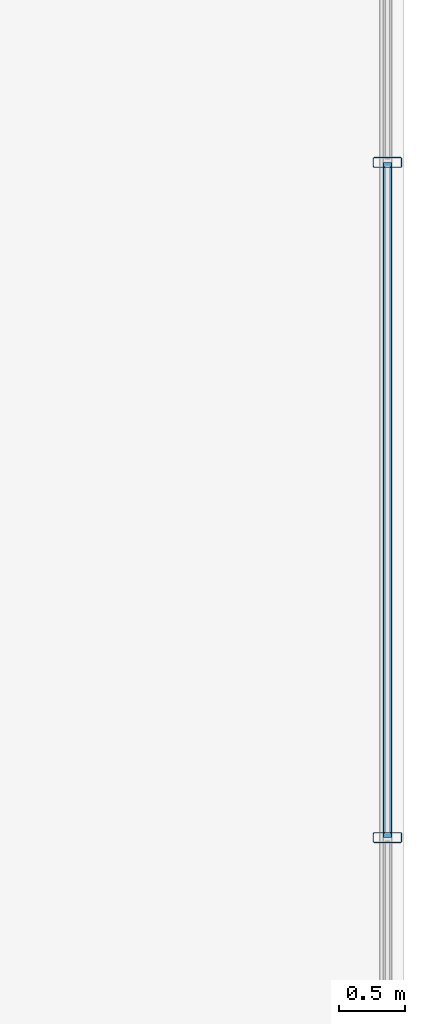
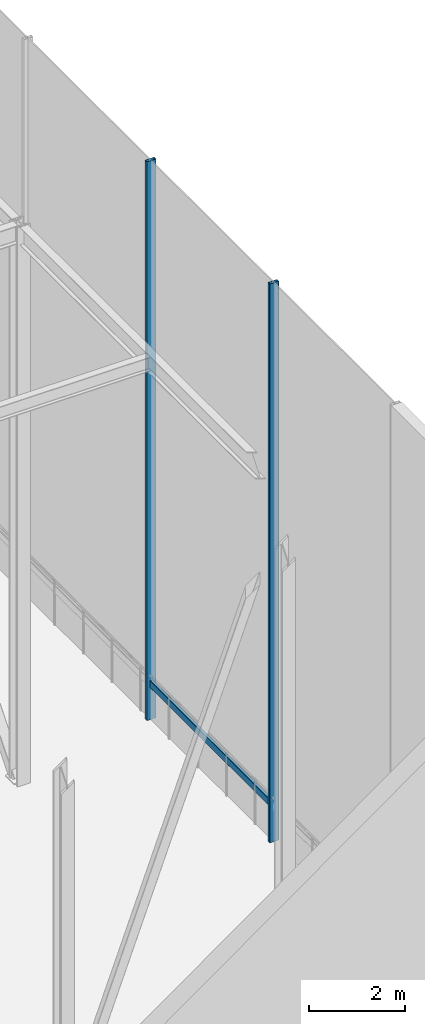
# One storey, part 23 of 42: 3 members, 1 element without a shape of its own.
"""IFC4 building model written with IfcOpenShell, lengths in metres."""

from ifc_helpers import new_model, si_unit, direction, frame, origin, origin_2d, place, context, subcontext, project, spatial, hollow_rectangle, extrude, material, layer, layer_set, material_profile, profile_set, type_object, element, aggregate, save


model = new_model("IFC4")

# Units and contexts
model_context = context("Model", 3, precision=1e-05, world=origin(), true_north=direction((0.0, 1.0)))
body_context = subcontext(model_context, "Body", "Model", "MODEL_VIEW")
ifc_project = project(units=[si_unit("LENGTHUNIT", "METRE"), si_unit("AREAUNIT", "SQUARE_METRE"), si_unit("VOLUMEUNIT", "CUBIC_METRE"), si_unit("PLANEANGLEUNIT", "RADIAN"), si_unit("MASSUNIT", "GRAM", prefix="KILO")], contexts=[model_context])

# Site, building, storey
site_placement = place(None, origin())
site = spatial("IfcSite", under=ifc_project, at=site_placement, CompositionType="ELEMENT")
building_placement = place(site_placement, origin())
building = spatial("IfcBuilding", under=site, at=building_placement, Name="Korimba Cascade Residences", CompositionType="ELEMENT")
storey_placement = place(building_placement, frame((0.0, 0.0, 207.60009765625)))
storey = spatial("IfcBuildingStorey", under=building, at=storey_placement, Name="L60", CompositionType="ELEMENT", Elevation=207.60009765625)

# Curtain wall, members
ifc_material_1 = material(Name="Anodised Aluminium Curtain Wall Framing", Category="aluminium")
ifc_layer = layer(ifc_material_1, 0.179931640625)
ifc_layer_set = layer_set([ifc_layer], Name="Anodised Aluminium Curtain Wall Framing")
curtain_wall_type = type_object("IfcCurtainWallType", Name="CW-CRNE-SYS6", PredefinedType="NOTDEFINED", material=ifc_layer_set)
curtain_wall_placement = place(storey_placement, origin())
curtain_wall = element("IfcCurtainWall", 1, at=curtain_wall_placement, inside=storey, type_object=curtain_wall_type, Name="L60 Curtain Wall CW-L60-CRN-E-1", PredefinedType="NOTDEFINED")
ifc_material_2 = material(Name="Anodised Aluminium Mullion", Category="aluminium")
ifc_material_profile_1 = material_profile(ifc_material_2, hollow_rectangle(XDim=0.080078125, YDim=0.219970703125, WallThickness=0.00634765625, InnerFilletRadius=0.00634765625, OuterFilletRadius=0.0126953125, at=origin_2d()), Name="Anodised Aluminium Mullion")
ifc_profile_set_1 = profile_set([ifc_material_profile_1], Name="Anodised Aluminium Mullion")
member_type_1 = type_object("IfcMemberType", Name="CWM-MUL-220", PredefinedType="MULLION", material=ifc_profile_set_1)
member_1_placement = place(storey_placement, frame((132.375, 2.300048828125, 0.0), z_axis=(0.0, 0.0, 1.0), x_axis=(0.0, 1.0, 0.0)))
member_1 = element("IfcMember", 2, at=member_1_placement, type_object=member_type_1, Name="CW-L60-CRN-E-1 Mullion 2", PredefinedType="MULLION", context=body_context, shape_type="SweptSolid", body=[
    extrude(hollow_rectangle(XDim=0.080078125, YDim=0.219970703125, WallThickness=0.00634765625, InnerFilletRadius=0.00634765625, OuterFilletRadius=0.0126953125, at=origin_2d()), origin(), (0.0, 0.0, 1.0), 14.14990234375),
])
member_2_placement = place(storey_placement, frame((132.375, 7.39990234375, 0.0), z_axis=(0.0, 0.0, 1.0), x_axis=(0.0, 1.0, 0.0)))
member_2 = element("IfcMember", 3, at=member_2_placement, type_object=member_type_1, Name="CW-L60-CRN-E-1 Mullion 3", PredefinedType="MULLION", context=body_context, shape_type="SweptSolid", body=[
    extrude(hollow_rectangle(XDim=0.080078125, YDim=0.219970703125, WallThickness=0.00634765625, InnerFilletRadius=0.00634765625, OuterFilletRadius=0.0126953125, at=origin_2d()), origin(), (0.0, 0.0, 1.0), 14.14990234375),
])
ifc_material_3 = material(Name="Anodised Aluminium Transom", Category="aluminium")
ifc_material_profile_2 = material_profile(ifc_material_3, hollow_rectangle(XDim=0.070068359375, YDim=0.179931640625, WallThickness=0.0048828125, InnerFilletRadius=0.0048828125, OuterFilletRadius=0.010009765625, at=origin_2d()), Name="Anodised Aluminium Transom")
ifc_profile_set_2 = profile_set([ifc_material_profile_2], Name="Anodised Aluminium Transom")
member_type_2 = type_object("IfcMemberType", Name="CWM-TRN-150", PredefinedType="USERDEFINED", material=ifc_profile_set_2)
member_3_placement = place(storey_placement, frame((132.375, 2.300048828125, 0.89990234375), z_axis=(0.0, 1.0, 0.0), x_axis=(-1.0, 0.0, 0.0)))
member_3 = element("IfcMember", 4, at=member_3_placement, type_object=member_type_2, Name="CW-L60-CRN-E-1 Transom 2", ObjectType="TRANSOM", PredefinedType="USERDEFINED", context=body_context, shape_type="SweptSolid", body=[
    extrude(hollow_rectangle(XDim=0.070068359375, YDim=0.179931640625, WallThickness=0.0048828125, InnerFilletRadius=0.0048828125, OuterFilletRadius=0.010009765625, at=origin_2d()), origin(), (0.0, 0.0, 1.0), 5.099853515625),
])
aggregate(curtain_wall, [member_1, member_2, member_3])

save(model, "model.ifc")
